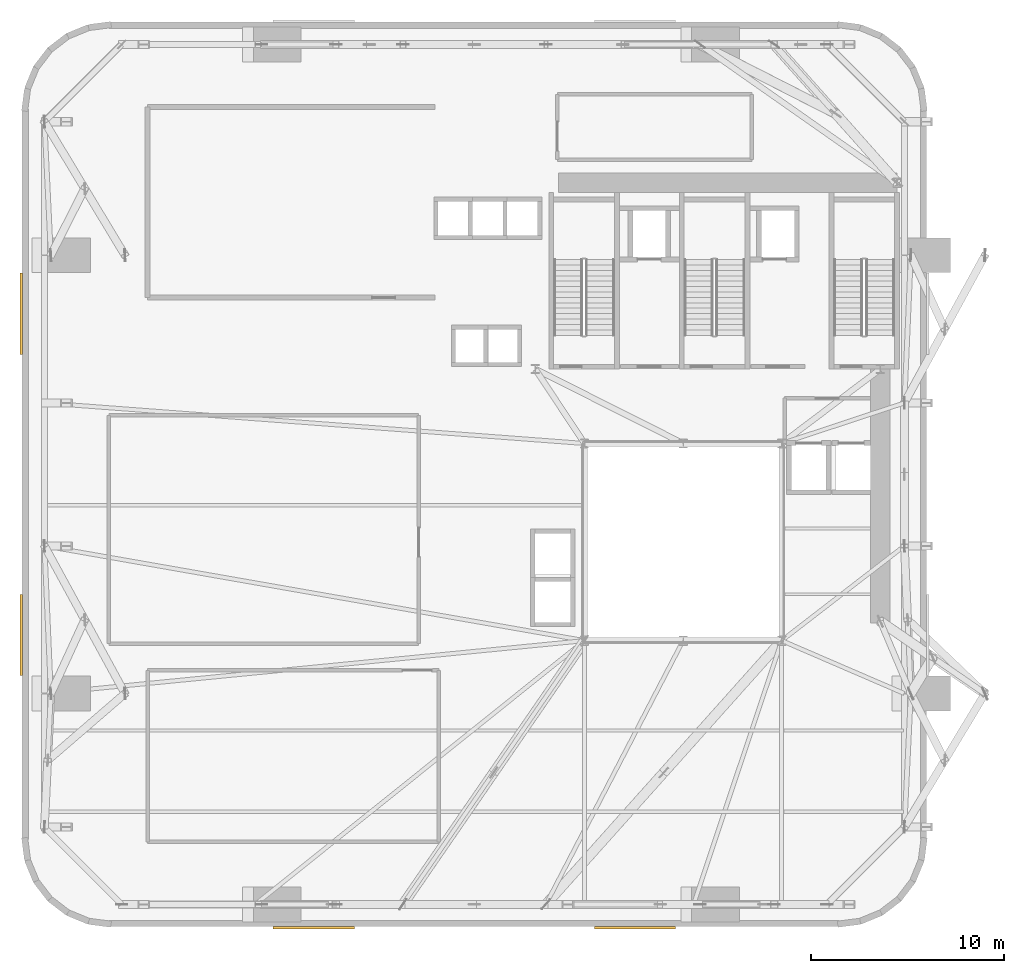
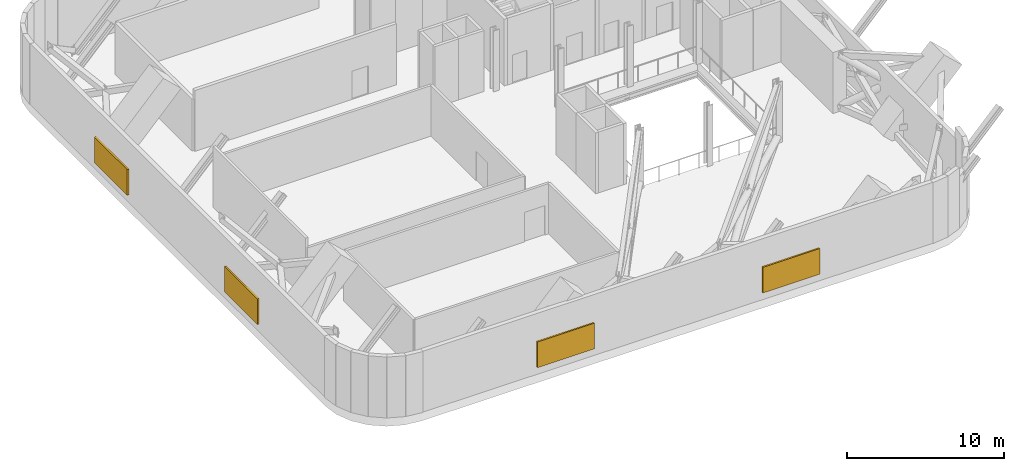
# One storey, part 10 of 12: 4 shading devices.
"""IFC4 building model written with IfcOpenShell, lengths in metres."""

import ifcopenshell
import ifcopenshell.guid

model = None  # the IFC model being written
_history = None  # IfcOwnerHistory: only IFC2X3 demands one
_inside = {}  # id of a spatial element -> (the spatial element, [elements in it])
_under = {}  # id of a project, library or spatial element -> (it, [spatial elements below it])
_declared = {}  # id of a project -> (the project, [libraries it declares])
_typed = {}  # id of a type object -> (the type object, [elements of that type])
_made_of = {}  # id of a material, layer set ... -> (it, [elements and type objects made of it])


def new_model(schema):
    """Start an empty IFC model of exactly this schema.

    Asked for "IFC4X3", IfcOpenShell would pick the latest addendum, in which some entities
    have other attributes; the version numbers below select the first issue.
    IFC2X3 requires an IfcOwnerHistory on every rooted entity: one is made here for all.
    """
    global model, _history
    if schema == "IFC4X3":
        model = ifcopenshell.file(schema_version=(4, 3, 0, 0))
    else:
        model = ifcopenshell.file(schema=schema)
    _inside.clear()
    _under.clear()
    _declared.clear()
    _typed.clear()
    _made_of.clear()
    _history = None
    if model.schema == "IFC2X3":
        org = make("IfcOrganization", Name="unknown")
        user = make(
            "IfcPersonAndOrganization",
            ThePerson=make("IfcPerson", FamilyName="unknown"),
            TheOrganization=org,
        )
        app = make(
            "IfcApplication",
            ApplicationDeveloper=org,
            Version="unknown",
            ApplicationFullName="unknown",
            ApplicationIdentifier="unknown",
        )
        _history = make(
            "IfcOwnerHistory",
            OwningUser=user,
            OwningApplication=app,
            ChangeAction="ADDED",
            CreationDate=0,
        )
    return model


def make(cls, **values):
    """One entity of the class cls with the attributes given. An attribute that is None is left unset."""
    return model.create_entity(
        cls, **{name: value for name, value in values.items() if value is not None}
    )


def rooted(cls, **values):
    """An entity with a GlobalId (a new one), such as an element, a storey or a relation."""
    return make(cls, GlobalId=ifcopenshell.guid.new(), OwnerHistory=_history, **values)


def si_unit(unit_type, name, prefix=None):
    """IfcSIUnit, for example si_unit("LENGTHUNIT", "METRE", prefix="MILLI")."""
    return make("IfcSIUnit", UnitType=unit_type, Prefix=prefix, Name=name)


def assignment(units):
    """IfcUnitAssignment: the units of a project."""
    return None if units is None else make("IfcUnitAssignment", Units=units)


def point(xyz):
    """IfcCartesianPoint."""
    return None if xyz is None else make("IfcCartesianPoint", Coordinates=xyz)


def direction(xyz):
    """IfcDirection."""
    return None if xyz is None else make("IfcDirection", DirectionRatios=xyz)


def frame(location, z_axis=None, x_axis=None):
    """IfcAxis2Placement3D, a coordinate frame: its origin and axes. An axis left out is left unset."""
    return make(
        "IfcAxis2Placement3D",
        Location=point(location),
        Axis=direction(z_axis),
        RefDirection=direction(x_axis),
    )


def frame_2d(location, x_axis=None):
    """IfcAxis2Placement2D, a coordinate frame in the plane: its origin and x axis."""
    return make(
        "IfcAxis2Placement2D", Location=point(location), RefDirection=direction(x_axis)
    )


def origin():
    """The frame at (0, 0, 0) with its axes left unset."""
    return frame((0.0, 0.0, 0.0))


def origin_2d():
    """The frame at (0, 0) in the plane with its x axis left unset."""
    return frame_2d((0.0, 0.0))


def place(relative_to, where):
    """IfcLocalPlacement: puts the frame where relative to a parent placement (None: the world)."""
    return make(
        "IfcLocalPlacement", PlacementRelTo=relative_to, RelativePlacement=where
    )


def context(
    kind, dimensions, precision=None, world=None, true_north=None, identifier=None
):
    """IfcGeometricRepresentationContext, for example the 3D "Model" context."""
    return make(
        "IfcGeometricRepresentationContext",
        ContextIdentifier=identifier,
        ContextType=kind,
        CoordinateSpaceDimension=dimensions,
        Precision=precision,
        WorldCoordinateSystem=world,
        TrueNorth=true_north,
    )


def subcontext(parent, identifier, kind, view, scale=None):
    """IfcGeometricRepresentationSubContext, for example "Body" below "Model"."""
    return make(
        "IfcGeometricRepresentationSubContext",
        ContextIdentifier=identifier,
        ContextType=kind,
        ParentContext=parent,
        TargetScale=scale,
        TargetView=view,
    )


def project(units=None, contexts=None):
    """IfcProject with its units and contexts."""
    return rooted(
        "IfcProject",
        Name="project",
        RepresentationContexts=contexts,
        UnitsInContext=assignment(units),
    )


def spatial(cls, under=None, at=None, **own):
    """A site, building, storey or space (cls), placed at a placement, below another one or the project."""
    s = rooted(cls, ObjectPlacement=at, **own)
    if under is not None:
        _under.setdefault(under.id(), (under, []))[1].append(s)
    return s


def profile(cls, at=None, kind="AREA", **sizes):
    """A parametric profile (cls). Its sizes go by their IFC names, for example OverallWidth=200.0."""
    return make(cls, ProfileType=kind, Position=at, **sizes)


def rectangle(**sizes):
    """IfcRectangleProfileDef."""
    return profile("IfcRectangleProfileDef", **sizes)


def extrude(swept, where, along, depth):
    """IfcExtrudedAreaSolid: the profile swept, set in the frame where, extruded along a direction by depth."""
    return make(
        "IfcExtrudedAreaSolid",
        SweptArea=swept,
        Position=where,
        ExtrudedDirection=direction(along),
        Depth=depth,
    )


def shape(context_of_items, identifier, shape_type, items):
    """IfcShapeRepresentation: the items that make up one representation, for example the "Body"."""
    return make(
        "IfcShapeRepresentation",
        ContextOfItems=context_of_items,
        RepresentationIdentifier=identifier,
        RepresentationType=shape_type,
        Items=items,
    )


def source(mapping_origin, context_of_items, identifier, shape_type, items):
    """IfcRepresentationMap: a shape defined once, which mapped items show again and again."""
    return make(
        "IfcRepresentationMap",
        MappingOrigin=mapping_origin,
        MappedRepresentation=shape(context_of_items, identifier, shape_type, items),
    )


def transform(
    local_origin,
    x_axis=None,
    y_axis=None,
    z_axis=None,
    scale=None,
    scale2=None,
    scale3=None,
    uniform=True,
):
    """IfcCartesianTransformationOperator3D, or its non-uniform kind. x_axis, y_axis, z_axis: its Axis1, 2, 3."""
    if uniform:
        return make(
            "IfcCartesianTransformationOperator3D",
            Axis1=direction(x_axis),
            Axis2=direction(y_axis),
            LocalOrigin=point(local_origin),
            Scale=scale,
            Axis3=direction(z_axis),
        )
    return make(
        "IfcCartesianTransformationOperator3DnonUniform",
        Axis1=direction(x_axis),
        Axis2=direction(y_axis),
        LocalOrigin=point(local_origin),
        Scale=scale,
        Axis3=direction(z_axis),
        Scale2=scale2,
        Scale3=scale3,
    )


def mapped(mapping_source, mapping_target):
    """IfcMappedItem: shows the shape of a source again, moved by a transform."""
    return make(
        "IfcMappedItem", MappingSource=mapping_source, MappingTarget=mapping_target
    )


def material(Name=None, Category=None):
    """IfcMaterial."""
    return make("IfcMaterial", Name=Name, Category=Category)


def layer(
    of_material, thickness, ventilated=None, Name=None, Category=None, Priority=None
):
    """IfcMaterialLayer: one layer of a wall or slab, of a material (None: an air gap)."""
    return make(
        "IfcMaterialLayer",
        Material=of_material,
        LayerThickness=thickness,
        IsVentilated=ventilated,
        Name=Name,
        Category=Category,
        Priority=Priority,
    )


def layer_set(layers, Name=None):
    """IfcMaterialLayerSet."""
    return make("IfcMaterialLayerSet", MaterialLayers=layers, LayerSetName=Name)


def made_of(thing, what):
    """Note that an element or type object is made of a material, layer set ...; save() writes the relation."""
    if what is not None:
        _made_of.setdefault(what.id(), (what, []))[1].append(thing)
    return thing


def type_object(cls, material=None, **own):
    """A type object (cls), such as IfcWallType, which elements share."""
    return made_of(rooted(cls, **own), material)


def element(
    cls,
    number,
    at=None,
    inside=None,
    cuts=None,
    type_object=None,
    material=None,
    context=None,
    identifier="Body",
    shape_type=None,
    held_by="IfcProductDefinitionShape",
    body=None,
    shapes=None,
    **own,
):
    """One element of the class cls, such as IfcWall. Its Tag is "e" and its number.

    at: its placement. inside: the storey or other place that contains it. cuts: it is an
    opening in that element (IfcRelVoidsElement). A single representation is given by context,
    identifier, shape_type and body (its items); several are given by shapes. held_by: the class
    of the entity that holds the representations. save() writes the other relations.
    """
    e = rooted(cls, Tag="e%d" % number, ObjectPlacement=at, **own)
    if body is not None:
        shapes = [shape(context, identifier, shape_type, body)]
    if shapes is not None:
        e.Representation = make(held_by, Representations=shapes)
    if inside is not None:
        _inside.setdefault(inside.id(), (inside, []))[1].append(e)
    if cuts is not None:
        rooted(
            "IfcRelVoidsElement", RelatingBuildingElement=cuts, RelatedOpeningElement=e
        )
    if type_object is not None:
        _typed.setdefault(type_object.id(), (type_object, []))[1].append(e)
    return made_of(e, material)


def aggregate(whole, parts):
    """IfcRelAggregates: a whole, such as a stair, and the parts it consists of."""
    return rooted("IfcRelAggregates", RelatingObject=whole, RelatedObjects=parts)


def save(model, path):
    """Write the relations noted so far, then the file.

    IfcRelAggregates (storeys below a building ...), IfcRelContainedInSpatialStructure (elements
    in a storey), IfcRelDefinesByType, IfcRelAssociatesMaterial and IfcRelDeclares: one each for
    every whole, place, type object, material and project.
    """
    for whole, parts in _under.values():
        aggregate(whole, parts)
    for where, things in _inside.values():
        rooted(
            "IfcRelContainedInSpatialStructure",
            RelatedElements=things,
            RelatingStructure=where,
        )
    for kind, things in _typed.values():
        rooted("IfcRelDefinesByType", RelatedObjects=things, RelatingType=kind)
    for what, things in _made_of.values():
        rooted("IfcRelAssociatesMaterial", RelatedObjects=things, RelatingMaterial=what)
    for by, libraries in _declared.values():
        rooted("IfcRelDeclares", RelatingContext=by, RelatedDefinitions=libraries)
    model.write(path)


model = new_model("IFC4")

# Units and contexts
model_context = context("Model", 3, precision=1e-05, world=origin(), true_north=direction((0.0, 1.0)))
body_context = subcontext(model_context, "Body", "Model", "MODEL_VIEW")
ifc_project = project(units=[si_unit("LENGTHUNIT", "METRE"), si_unit("AREAUNIT", "SQUARE_METRE"), si_unit("VOLUMEUNIT", "CUBIC_METRE"), si_unit("PLANEANGLEUNIT", "RADIAN"), si_unit("MASSUNIT", "GRAM", prefix="KILO")], contexts=[model_context])

# Site, building, storey
site_placement = place(None, origin())
site = spatial("IfcSite", under=ifc_project, at=site_placement, CompositionType="ELEMENT")
building_placement = place(site_placement, origin())
building = spatial("IfcBuilding", under=site, at=building_placement, Name="Vardaveli Station Tower", CompositionType="ELEMENT")
storey_placement = place(building_placement, frame((0.0, 0.0, 93.300048828125)))
storey = spatial("IfcBuildingStorey", under=building, at=storey_placement, Name="L24", CompositionType="ELEMENT", Elevation=93.300048828125)

# Shading devices
ifc_material = material(Name="Anodised champagne aluminium acoustic louvre", Category="aluminium")
ifc_layer = layer(ifc_material, 0.1201171875, Name="Anodised champagne aluminium acoustic louvre")
ifc_layer_set = layer_set([ifc_layer], Name="Anodised champagne aluminium acoustic louvre")
shading_device_type = type_object("IfcShadingDeviceType", Name="SHD-LOUVRE-JAL", PredefinedType="JALOUSIE", material=ifc_layer_set)
shared_shape = source(origin(), body_context, "Body", "SweptSolid", [
    extrude(rectangle(XDim=4.199951171875, YDim=0.1201171875, at=origin_2d()), origin(), (0.0, 0.0, 1.0), 2.0),
])
for number, where, z_axis, x_axis, name in (
    (1, (17.18408203125, 1.74609375, 0.599853515625), (0.0, 0.0, 1.0), (1.0, 0.0, 0.0), "SHD-LV-L24-S1"),
    (2, (33.81591796875, 1.74609375, 0.599853515625), (0.0, 0.0, 1.0), (1.0, 0.0, 0.0), "SHD-LV-L24-S2"),
    (3, (2.0458984375, 33.51611328125, 0.599853515625), (0.0, 0.0, 1.0), (0.0, 1.0, 0.0), "SHD-LV-L24-W1"),
    (4, (2.0458984375, 16.884033203125, 0.599853515625), (0.0, 0.0, 1.0), (0.0, 1.0, 0.0), "SHD-LV-L24-W2"),
):
    element("IfcShadingDevice", number, at=place(storey_placement, frame(where, z_axis=z_axis, x_axis=x_axis)), inside=storey, type_object=shading_device_type, Name=name, PredefinedType="JALOUSIE", context=body_context, shape_type="MappedRepresentation", body=[
        mapped(shared_shape, transform((0.0, 0.0, 0.0), scale=1.0)),
    ])

save(model, "model.ifc")
